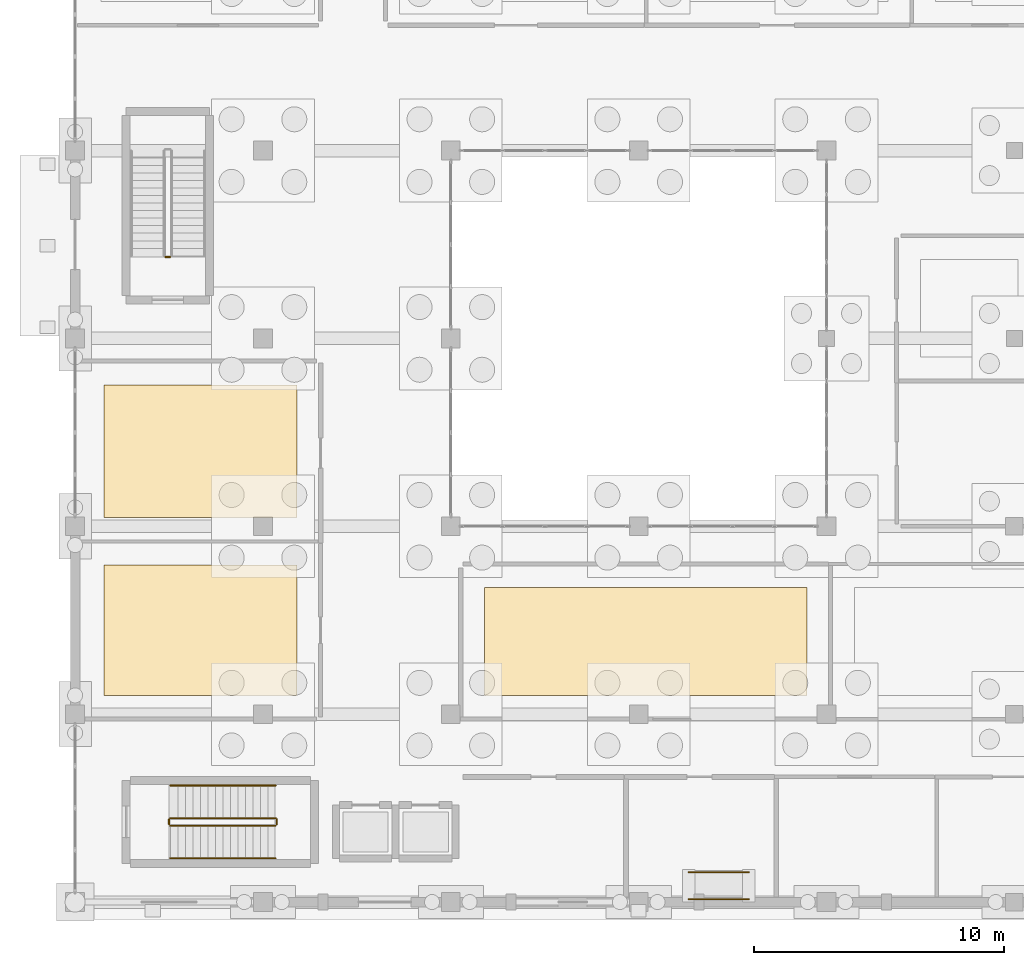
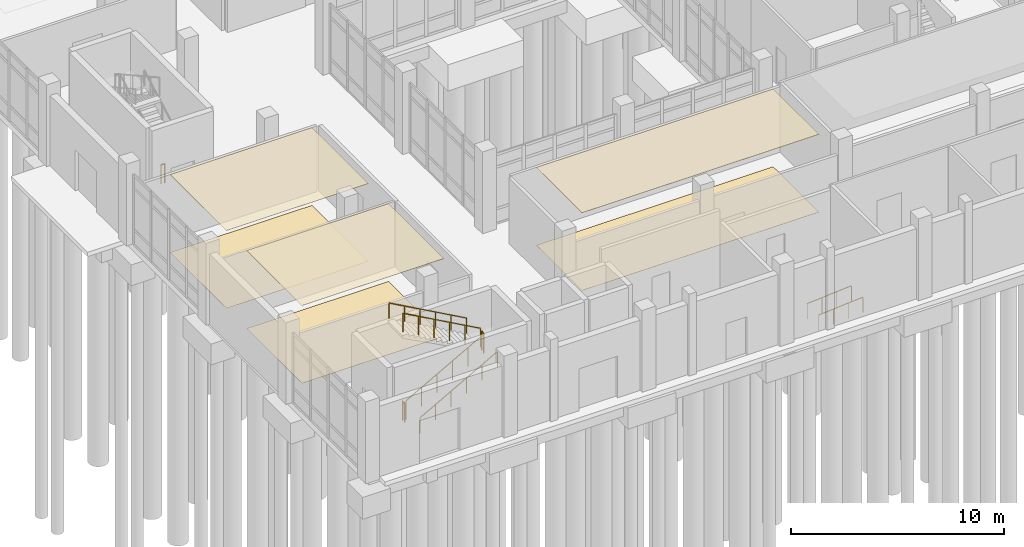
# One storey, part 163 of 173: 9 railings, 6 coverings.
"""IFC4 building model written with IfcOpenShell, lengths in metres."""

from ifc_helpers import new_model, si_unit, direction, frame, origin, origin_2d, place, context, subcontext, project, spatial, polyline, circle, outline, extrude, material, layer, layer_set, type_object, element, save


model = new_model("IFC4")

# Units and contexts
model_context = context("Model", 3, precision=1e-05, world=origin(), true_north=direction((0.0, 1.0)))
body_context = subcontext(model_context, "Body", "Model", "MODEL_VIEW")
ifc_project = project(units=[si_unit("LENGTHUNIT", "METRE"), si_unit("AREAUNIT", "SQUARE_METRE"), si_unit("VOLUMEUNIT", "CUBIC_METRE"), si_unit("PLANEANGLEUNIT", "RADIAN"), si_unit("MASSUNIT", "GRAM", prefix="KILO")], contexts=[model_context])

# Site, building, storey
site_placement = place(None, origin())
site = spatial("IfcSite", under=ifc_project, at=site_placement, CompositionType="ELEMENT")
building_placement = place(site_placement, origin())
building = spatial("IfcBuilding", under=site, at=building_placement, Name="Mawjan Specialist Oncology Clinic", CompositionType="ELEMENT")
storey_placement = place(building_placement, origin())
storey = spatial("IfcBuildingStorey", under=building, at=storey_placement, Name="L00", CompositionType="ELEMENT", Elevation=0.0)

# Coverings
ifc_material_1 = material(Name="Hygienic antimicrobial acoustic mineral ceiling tile", Category="gypsum")
ifc_layer_1 = layer(ifc_material_1, 0.02001953125, Name="Hygienic antimicrobial acoustic mineral ceiling tile", Category="gypsum")
ifc_layer_set_1 = layer_set([ifc_layer_1], Name="Hygienic antimicrobial acoustic mineral ceiling tile")
covering_type_1 = type_object("IfcCoveringType", Name="CLG-AC20", PredefinedType="CEILING", material=ifc_layer_set_1)
covering_1_placement = place(storey_placement, frame((0.0, 0.0, 4.455078125)))
element("IfcCovering", 1, at=covering_1_placement, inside=storey, type_object=covering_type_1, Name="L00 Specialist Diagnostic Exam Room Acoustic Ceiling", PredefinedType="CEILING", context=body_context, shape_type="SweptSolid", body=[
    extrude(outline(polyline([(16.35009765625, 13.35009765625), (29.2099609375, 13.35009765625), (29.2099609375, 9.050048828125), (16.35009765625, 9.050048828125), (16.35009765625, 13.35009765625)])), origin(), (0.0, 0.0, 1.0), 0.02001953125),
])
covering_2_placement = place(storey_placement, frame((0.0, 0.0, 4.455078125)))
element("IfcCovering", 2, at=covering_2_placement, inside=storey, type_object=covering_type_1, Name="L00 Outpatient Consultation Room Acoustic Ceiling", PredefinedType="CEILING", context=body_context, shape_type="SweptSolid", body=[
    extrude(outline(polyline([(1.14990234375, 14.25), (8.85009765625, 14.25), (8.85009765625, 9.050048828125), (1.14990234375, 9.050048828125), (1.14990234375, 14.25)])), origin(), (0.0, 0.0, 1.0), 0.02001953125),
])
covering_3_placement = place(storey_placement, frame((0.0, 0.0, 4.455078125)))
element("IfcCovering", 3, at=covering_3_placement, inside=storey, type_object=covering_type_1, Name="L00 Clinical Assessment Suite Acoustic Ceiling", PredefinedType="CEILING", context=body_context, shape_type="SweptSolid", body=[
    extrude(outline(polyline([(1.14990234375, 21.449951171875), (8.85009765625, 21.449951171875), (8.85009765625, 16.14990234375), (1.14990234375, 16.14990234375), (1.14990234375, 21.449951171875)])), origin(), (0.0, 0.0, 1.0), 0.02001953125),
])
ifc_material_2 = material(Name="Seamless clinical anti-static homogeneous vinyl flooring", Category="plastic")
ifc_layer_2 = layer(ifc_material_2, 0.008056640625, Name="Seamless clinical anti-static homogeneous vinyl flooring", Category="plastic")
ifc_layer_set_2 = layer_set([ifc_layer_2], Name="Seamless clinical anti-static homogeneous vinyl flooring")
covering_type_2 = type_object("IfcCoveringType", Name="FLR-VN08", PredefinedType="FLOORING", material=ifc_layer_set_2)
covering_4_placement = place(storey_placement, origin())
element("IfcCovering", 4, at=covering_4_placement, inside=storey, type_object=covering_type_2, Name="L00 Specialist Diagnostic Exam Room Clinical Vinyl Flooring", PredefinedType="FLOORING", context=body_context, shape_type="SweptSolid", body=[
    extrude(outline(polyline([(16.35009765625, 13.35009765625), (29.2099609375, 13.35009765625), (29.2099609375, 9.050048828125), (16.35009765625, 9.050048828125), (16.35009765625, 13.35009765625)])), origin(), (0.0, 0.0, 1.0), 0.008056640625),
])
covering_5_placement = place(storey_placement, origin())
element("IfcCovering", 5, at=covering_5_placement, inside=storey, type_object=covering_type_2, Name="L00 Outpatient Consultation Room Clinical Vinyl Flooring", PredefinedType="FLOORING", context=body_context, shape_type="SweptSolid", body=[
    extrude(outline(polyline([(1.14990234375, 14.25), (8.85009765625, 14.25), (8.85009765625, 9.050048828125), (1.14990234375, 9.050048828125), (1.14990234375, 14.25)])), origin(), (0.0, 0.0, 1.0), 0.008056640625),
])
covering_6_placement = place(storey_placement, origin())
element("IfcCovering", 6, at=covering_6_placement, inside=storey, type_object=covering_type_2, Name="L00 Clinical Assessment Suite Clinical Vinyl Flooring", PredefinedType="FLOORING", context=body_context, shape_type="SweptSolid", body=[
    extrude(outline(polyline([(1.14990234375, 21.449951171875), (8.85009765625, 21.449951171875), (8.85009765625, 16.14990234375), (1.14990234375, 16.14990234375), (1.14990234375, 21.449951171875)])), origin(), (0.0, 0.0, 1.0), 0.008056640625),
])

# Railings
ifc_material_3 = material(Name="Powder-coated steel stair guard with vertical infill pickets", Category="steel")
railing_type_1 = type_object("IfcRailingType", Name="GR-110", PredefinedType="GUARDRAIL", material=ifc_material_3)
railing_1_placement = place(storey_placement, frame((3.800048828125, 3.85009765625, 0.166748046875)))
element("IfcRailing", 7, at=railing_1_placement, inside=storey, type_object=railing_type_1, Name="L00 ST-01 stair guard 1", PredefinedType="GUARDRAIL", context=body_context, shape_type="SweptSolid", body=[
    extrude(circle(Radius=0.02392578125, at=origin_2d()), frame((0.0, 0.0, 1.076171875), z_axis=(0.874162069901, 0.0, 0.485634302275), x_axis=(0.0, 1.0, 0.0)), (0.0, 0.0, 1.0), 4.804443359375),
    extrude(circle(Radius=0.02099609375, at=origin_2d()), origin(), (0.0, 0.0, 1.0), 1.052001953125),
    extrude(circle(Radius=0.02099609375, at=origin_2d()), frame((0.840087890625, 0.0, 0.466552734375)), (0.0, 0.0, 1.0), 1.052001953125),
    extrude(circle(Radius=0.02099609375, at=origin_2d()), frame((1.679931640625, 0.0, 0.933349609375)), (0.0, 0.0, 1.0), 1.052001953125),
    extrude(circle(Radius=0.02099609375, at=origin_2d()), frame((2.52001953125, 0.0, 1.39990234375)), (0.0, 0.0, 1.0), 1.052001953125),
    extrude(circle(Radius=0.02099609375, at=origin_2d()), frame((3.35986328125, 0.0, 1.86669921875)), (0.0, 0.0, 1.0), 1.052001953125),
    extrude(circle(Radius=0.02099609375, at=origin_2d()), frame((4.199951171875, 0.0, 2.333251953125)), (0.0, 0.0, 1.0), 1.052001953125),
])
railing_2_placement = place(storey_placement, frame((8.050048828125, 3.89990234375, 2.5)))
element("IfcRailing", 8, at=railing_2_placement, inside=storey, type_object=railing_type_1, Name="L00 ST-01 stair guard 2", PredefinedType="GUARDRAIL", context=body_context, shape_type="SweptSolid", body=[
    extrude(circle(Radius=0.02392578125, at=origin_2d()), frame((0.0, 0.0, 1.076171875), z_axis=(0.0, 1.0, 0.0), x_axis=(-1.0, 0.0, 0.0)), (0.0, 0.0, 1.0), 0.2001953125),
    extrude(circle(Radius=0.02099609375, at=origin_2d()), origin(), (0.0, 0.0, 1.0), 1.052001953125),
    extrude(circle(Radius=0.02099609375, at=origin_2d()), frame((0.0, 0.2001953125, 0.0)), (0.0, 0.0, 1.0), 1.052001953125),
])
railing_3_placement = place(storey_placement, frame((8.0, 4.14990234375, 2.666748046875)))
element("IfcRailing", 9, at=railing_3_placement, inside=storey, type_object=railing_type_1, Name="L00 ST-01 stair guard 3", PredefinedType="GUARDRAIL", context=body_context, shape_type="SweptSolid", body=[
    extrude(circle(Radius=0.02392578125, at=origin_2d()), frame((0.0, 0.0, 1.076171875), z_axis=(-0.874162069901, 0.0, 0.485634302275), x_axis=(0.0, -1.0, 0.0)), (0.0, 0.0, 1.0), 4.804443359375),
    extrude(circle(Radius=0.02099609375, at=origin_2d()), origin(), (0.0, 0.0, 1.0), 1.052001953125),
    extrude(circle(Radius=0.02099609375, at=origin_2d()), frame((-0.840087890625, 0.0, 0.466552734375)), (0.0, 0.0, 1.0), 1.052001953125),
    extrude(circle(Radius=0.02099609375, at=origin_2d()), frame((-1.679931640625, 0.0, 0.933349609375)), (0.0, 0.0, 1.0), 1.052001953125),
    extrude(circle(Radius=0.02099609375, at=origin_2d()), frame((-2.52001953125, 0.0, 1.39990234375)), (0.0, 0.0, 1.0), 1.052001953125),
    extrude(circle(Radius=0.02099609375, at=origin_2d()), frame((-3.35986328125, 0.0, 1.86669921875)), (0.0, 0.0, 1.0), 1.052001953125),
    extrude(circle(Radius=0.02099609375, at=origin_2d()), frame((-4.199951171875, 0.0, 2.333251953125)), (0.0, 0.0, 1.0), 1.052001953125),
])
railing_4_placement = place(storey_placement, frame((3.75, 3.89990234375, 0.0)))
element("IfcRailing", 10, at=railing_4_placement, inside=storey, type_object=railing_type_1, Name="L00 ST-01 stair guard 4", PredefinedType="GUARDRAIL", context=body_context, shape_type="SweptSolid", body=[
    extrude(circle(Radius=0.02392578125, at=origin_2d()), frame((0.0, 0.0, 1.076171875), z_axis=(0.0, 1.0, 0.0), x_axis=(-1.0, 0.0, 0.0)), (0.0, 0.0, 1.0), 0.2001953125),
    extrude(circle(Radius=0.02099609375, at=origin_2d()), origin(), (0.0, 0.0, 1.0), 1.052001953125),
    extrude(circle(Radius=0.02099609375, at=origin_2d()), frame((0.0, 0.2001953125, 0.0)), (0.0, 0.0, 1.0), 1.052001953125),
])
railing_5_placement = place(storey_placement, frame((3.800048828125, 26.550048828125, 0.0)))
element("IfcRailing", 11, at=railing_5_placement, inside=storey, type_object=railing_type_1, Name="L00 ST-02 stair guard 4", PredefinedType="GUARDRAIL", context=body_context, shape_type="SweptSolid", body=[
    extrude(circle(Radius=0.02392578125, at=origin_2d()), frame((0.0, 0.0, 1.076171875), z_axis=(-1.0, 0.0, 0.0), x_axis=(0.0, -1.0, 0.0)), (0.0, 0.0, 1.0), 0.199951171875),
    extrude(circle(Radius=0.02099609375, at=origin_2d()), origin(), (0.0, 0.0, 1.0), 1.052001953125),
    extrude(circle(Radius=0.02099609375, at=origin_2d()), frame((-0.199951171875, 0.0, 0.0)), (0.0, 0.0, 1.0), 1.052001953125),
])
ifc_material_4 = material(Name="Brushed stainless-steel tubular handrail", Category="steel")
railing_type_2 = type_object("IfcRailingType", Name="HR-090", PredefinedType="HANDRAIL", material=ifc_material_4)
railing_6_placement = place(storey_placement, frame((3.800048828125, 2.550048828125, 0.166748046875)))
element("IfcRailing", 12, at=railing_6_placement, inside=storey, type_object=railing_type_2, Name="L00 ST-01 stair handrail 1", PredefinedType="HANDRAIL", context=body_context, shape_type="SweptSolid", body=[
    extrude(circle(Radius=0.02392578125, at=origin_2d()), frame((0.0, 0.0, 0.8759765625), z_axis=(0.874162069901, 0.0, 0.485634302275), x_axis=(0.0, 1.0, 0.0)), (0.0, 0.0, 1.0), 4.804443359375),
    extrude(circle(Radius=0.02099609375, at=origin_2d()), origin(), (0.0, 0.0, 1.0), 0.851806640625),
    extrude(circle(Radius=0.02099609375, at=origin_2d()), frame((0.840087890625, 0.0, 0.466552734375)), (0.0, 0.0, 1.0), 0.851806640625),
    extrude(circle(Radius=0.02099609375, at=origin_2d()), frame((1.679931640625, 0.0, 0.933349609375)), (0.0, 0.0, 1.0), 0.851806640625),
    extrude(circle(Radius=0.02099609375, at=origin_2d()), frame((2.52001953125, 0.0, 1.39990234375)), (0.0, 0.0, 1.0), 0.851806640625),
    extrude(circle(Radius=0.02099609375, at=origin_2d()), frame((3.35986328125, 0.0, 1.86669921875)), (0.0, 0.0, 1.0), 0.851806640625),
    extrude(circle(Radius=0.02099609375, at=origin_2d()), frame((4.199951171875, 0.0, 2.333251953125)), (0.0, 0.0, 1.0), 0.851806640625),
])
railing_7_placement = place(storey_placement, frame((8.0, 5.449951171875, 2.666748046875)))
element("IfcRailing", 13, at=railing_7_placement, inside=storey, type_object=railing_type_2, Name="L00 ST-01 stair handrail 2", PredefinedType="HANDRAIL", context=body_context, shape_type="SweptSolid", body=[
    extrude(circle(Radius=0.02392578125, at=origin_2d()), frame((0.0, 0.0, 0.8759765625), z_axis=(-0.874162069901, 0.0, 0.485634302275), x_axis=(0.0, -1.0, 0.0)), (0.0, 0.0, 1.0), 4.804443359375),
    extrude(circle(Radius=0.02099609375, at=origin_2d()), origin(), (0.0, 0.0, 1.0), 0.851806640625),
    extrude(circle(Radius=0.02099609375, at=origin_2d()), frame((-0.840087890625, 0.0, 0.466552734375)), (0.0, 0.0, 1.0), 0.851806640625),
    extrude(circle(Radius=0.02099609375, at=origin_2d()), frame((-1.679931640625, 0.0, 0.933349609375)), (0.0, 0.0, 1.0), 0.851806640625),
    extrude(circle(Radius=0.02099609375, at=origin_2d()), frame((-2.52001953125, 0.0, 1.39990234375)), (0.0, 0.0, 1.0), 0.851806640625),
    extrude(circle(Radius=0.02099609375, at=origin_2d()), frame((-3.35986328125, 0.0, 1.86669921875)), (0.0, 0.0, 1.0), 0.851806640625),
    extrude(circle(Radius=0.02099609375, at=origin_2d()), frame((-4.199951171875, 0.0, 2.333251953125)), (0.0, 0.0, 1.0), 0.851806640625),
])
for number, where, name in (
    (14, (24.5, 0.909912109375, -0.179931640625), "PR-01 Accessible Ramp Handrail L"),
    (15, (24.5, 1.989990234375, -0.179931640625), "PR-01 Accessible Ramp Handrail R"),
):
    element("IfcRailing", number, at=place(storey_placement, frame(where)), inside=storey, type_object=railing_type_2, Name=name, PredefinedType="HANDRAIL", context=body_context, shape_type="SweptSolid", body=[
        extrude(circle(Radius=0.02392578125, at=origin_2d()), frame((0.0, 0.0, 0.8759765625), z_axis=(0.997201201018, 0.0, 0.074764728906), x_axis=(0.0, 1.0, 0.0)), (0.0, 0.0, 1.0), 2.40673828125),
        extrude(circle(Radius=0.02099609375, at=origin_2d()), origin(), (0.0, 0.0, 1.0), 0.851806640625),
        extrude(circle(Radius=0.02099609375, at=origin_2d()), frame((0.800048828125, 0.0, 0.06005859375)), (0.0, 0.0, 1.0), 0.851806640625),
        extrude(circle(Radius=0.02099609375, at=origin_2d()), frame((1.599853515625, 0.0, 0.119873046875)), (0.0, 0.0, 1.0), 0.851806640625),
        extrude(circle(Radius=0.02099609375, at=origin_2d()), frame((2.39990234375, 0.0, 0.179931640625)), (0.0, 0.0, 1.0), 0.851806640625),
    ])

save(model, "model.ifc")
